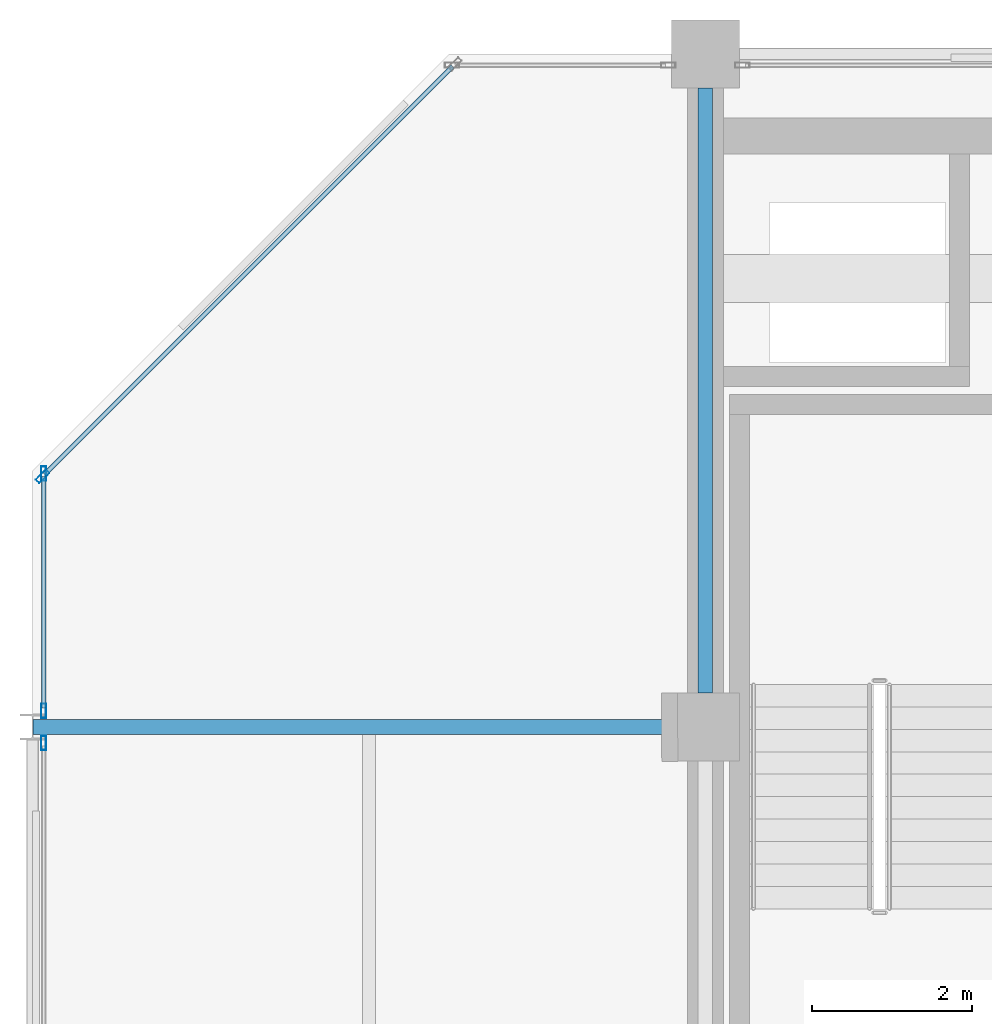
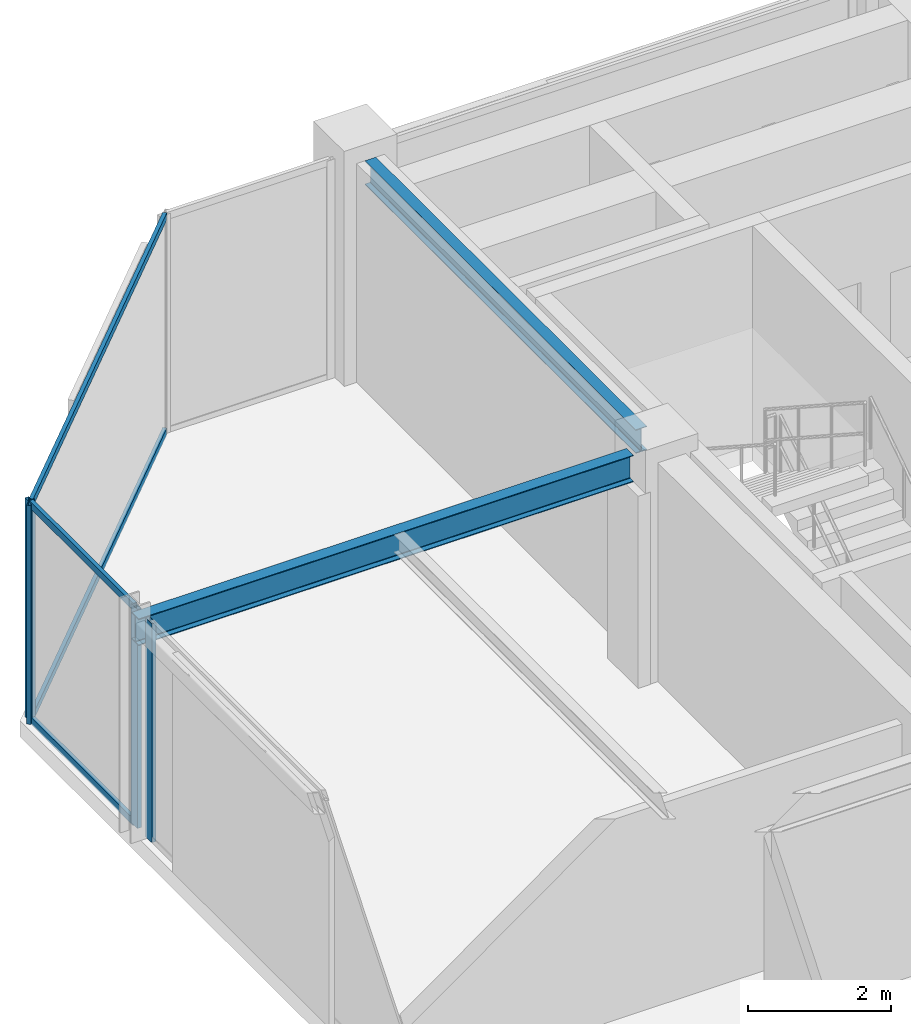
# One storey, part 16 of 24: 8 members, 2 beams, 3 elements without a shape of their own.
"""IFC4 building model written with IfcOpenShell, lengths in metres."""

from ifc_helpers import new_model, si_unit, direction, frame, origin, origin_2d, place, context, subcontext, project, spatial, hollow_rectangle, i_section, extrude, material, layer, layer_set, material_profile, profile_set, type_object, element, aggregate, save


model = new_model("IFC4")

# Units and contexts
model_context = context("Model", 3, precision=1e-05, world=origin(), true_north=direction((0.0, 1.0)))
body_context = subcontext(model_context, "Body", "Model", "MODEL_VIEW")
ifc_project = project(units=[si_unit("LENGTHUNIT", "METRE"), si_unit("AREAUNIT", "SQUARE_METRE"), si_unit("VOLUMEUNIT", "CUBIC_METRE"), si_unit("PLANEANGLEUNIT", "RADIAN"), si_unit("MASSUNIT", "GRAM", prefix="KILO")], contexts=[model_context])

# Site, building, storey
site_placement = place(None, origin())
site = spatial("IfcSite", under=ifc_project, at=site_placement, CompositionType="ELEMENT")
building_placement = place(site_placement, origin())
building = spatial("IfcBuilding", under=site, at=building_placement, Name="Nerrivon Quay Data Exchange", CompositionType="ELEMENT")
storey_placement = place(building_placement, frame((0.0, 0.0, 294.199951171875)))
storey = spatial("IfcBuildingStorey", under=building, at=storey_placement, Name="L70", CompositionType="ELEMENT", Elevation=294.199951171875)

# Beams
ifc_material_1 = material(Name="Steel Grade 350", Category="steel")
ifc_material_profile_1 = material_profile(ifc_material_1, i_section(OverallWidth=0.18994140625, OverallDepth=0.4541015625, WebThickness=0.008544921875, FlangeThickness=0.0126953125, FilletRadius=0.011474609375, at=origin_2d()), Name="460UB67.1")
ifc_profile_set_1 = profile_set([ifc_material_profile_1], Name="Steel Grade 350")
beam_type_1 = type_object("IfcBeamType", Name="BM-G6-460UB67", PredefinedType="BEAM", material=ifc_profile_set_1)
beam_1_placement = place(storey_placement, frame((0.0078125, 33.60009765625, 3.498046875), z_axis=(1.0, 0.0, 0.0), x_axis=(0.0, 1.0, 0.0)))
element("IfcBeam", 1, at=beam_1_placement, inside=storey, type_object=beam_type_1, Name="L70 EW Girder Y=33.6 (0.0..8.4)", PredefinedType="BEAM", context=body_context, shape_type="SweptSolid", body=[
    extrude(i_section(OverallWidth=0.18994140625, OverallDepth=0.4541015625, WebThickness=0.008544921875, FlangeThickness=0.0126953125, FilletRadius=0.011474609375, at=origin_2d()), origin(), (0.0, 0.0, 1.0), 7.96728515625),
])
ifc_material_profile_2 = material_profile(ifc_material_1, i_section(OverallWidth=0.177978515625, OverallDepth=0.406005859375, WebThickness=0.0078125, FlangeThickness=0.0126953125, FilletRadius=0.011474609375, at=origin_2d()), Name="410UB59.7")
ifc_profile_set_2 = profile_set([ifc_material_profile_2], Name="Steel Grade 350")
beam_type_2 = type_object("IfcBeamType", Name="BM-J1-410UB60", PredefinedType="JOIST", material=ifc_profile_set_2)
beam_2_placement = place(storey_placement, frame((8.39990234375, 34.02490234375, 3.52197265625), z_axis=(0.0, 1.0, 0.0), x_axis=(-1.0, 0.0, 0.0)))
element("IfcBeam", 2, at=beam_2_placement, inside=storey, type_object=beam_type_2, Name="L70 NS Girder X=8.4 (33.6..42.0)", PredefinedType="JOIST", context=body_context, shape_type="SweptSolid", body=[
    extrude(i_section(OverallWidth=0.177978515625, OverallDepth=0.406005859375, WebThickness=0.0078125, FlangeThickness=0.0126953125, FilletRadius=0.011474609375, at=origin_2d()), origin(), (0.0, 0.0, 1.0), 7.550048828125),
])

# Curtain wall, member
ifc_material_2 = material(Name="Anodised aluminium 6063-T6", Category="aluminium")
ifc_layer = layer(ifc_material_2, 0.195068359375)
ifc_layer_set = layer_set([ifc_layer], Name="Anodised aluminium 6063-T6")
curtain_wall_type = type_object("IfcCurtainWallType", Name="CW-SYS-06", PredefinedType="NOTDEFINED", material=ifc_layer_set)
curtain_wall_1_placement = place(storey_placement, origin())
curtain_wall_1 = element("IfcCurtainWall", 3, at=curtain_wall_1_placement, inside=storey, type_object=curtain_wall_type, Name="L70 Unitised Curtain Wall 11", PredefinedType="NOTDEFINED")
ifc_material_profile_3 = material_profile(ifc_material_2, hollow_rectangle(XDim=0.06494140625, YDim=0.179931640625, WallThickness=0.00341796875, at=origin_2d()), Name="ALU-MULL-180x65")
ifc_profile_set_3 = profile_set([ifc_material_profile_3], Name="Anodised aluminium 6063-T6")
member_type_1 = type_object("IfcMemberType", Name="CWM-180x65", PredefinedType="MULLION", material=ifc_profile_set_3)
member_1_placement = place(storey_placement, frame((0.139892578125, 33.39892578125, 0.0), z_axis=(0.0, 0.0, 1.0), x_axis=(-1.0, 0.0, 0.0)))
member_1 = element("IfcMember", 4, at=member_1_placement, type_object=member_type_1, Name="CW06 mullion 2", PredefinedType="MULLION", context=body_context, shape_type="SweptSolid", body=[
    extrude(hollow_rectangle(XDim=0.06494140625, YDim=0.179931640625, WallThickness=0.00341796875, at=origin_2d()), origin(), (0.0, 0.0, 1.0), 3.72509765625),
])
aggregate(curtain_wall_1, [member_1])

# Curtain wall, members
curtain_wall_2_placement = place(storey_placement, origin())
curtain_wall_2 = element("IfcCurtainWall", 5, at=curtain_wall_2_placement, inside=storey, type_object=curtain_wall_type, Name="L70 Unitised Curtain Wall 12", PredefinedType="NOTDEFINED")
member_2_placement = place(storey_placement, frame((0.139892578125, 33.801025390625, 0.0), z_axis=(0.0, 0.0, 1.0), x_axis=(-1.0, 0.0, 0.0)))
member_2 = element("IfcMember", 6, at=member_2_placement, type_object=member_type_1, Name="CW06 mullion 1", PredefinedType="MULLION", context=body_context, shape_type="SweptSolid", body=[
    extrude(hollow_rectangle(XDim=0.06494140625, YDim=0.179931640625, WallThickness=0.00341796875, at=origin_2d()), origin(), (0.0, 0.0, 1.0), 3.72509765625),
])
member_3_placement = place(storey_placement, frame((0.139892578125, 36.762451171875, 0.0), z_axis=(0.0, 0.0, 1.0), x_axis=(-1.0, 0.0, 0.0)))
member_3 = element("IfcMember", 7, at=member_3_placement, type_object=member_type_1, Name="CW06 mullion 2", PredefinedType="MULLION", context=body_context, shape_type="SweptSolid", body=[
    extrude(hollow_rectangle(XDim=0.06494140625, YDim=0.179931640625, WallThickness=0.00341796875, at=origin_2d()), origin(), (0.0, 0.0, 1.0), 3.72509765625),
])

# Curtain wall, member
curtain_wall_3_placement = place(storey_placement, origin())
curtain_wall_3 = element("IfcCurtainWall", 8, at=curtain_wall_3_placement, inside=storey, type_object=curtain_wall_type, Name="L70 Unitised Curtain Wall 13", PredefinedType="NOTDEFINED")
member_4_placement = place(storey_placement, frame((0.12548828125, 36.7275390625, 0.0), z_axis=(0.0, 0.0, 1.0), x_axis=(-0.707106781187, 0.707106781187, 0.0)))
member_4 = element("IfcMember", 9, at=member_4_placement, type_object=member_type_1, Name="CW06 mullion 1", PredefinedType="MULLION", context=body_context, shape_type="SweptSolid", body=[
    extrude(hollow_rectangle(XDim=0.06494140625, YDim=0.179931640625, WallThickness=0.00341796875, at=origin_2d()), origin(), (0.0, 0.0, 1.0), 3.72509765625),
])

# Member
ifc_material_profile_4 = material_profile(ifc_material_2, hollow_rectangle(XDim=0.06005859375, YDim=0.1201171875, WallThickness=0.003173828125, at=origin_2d()), Name="ALU-TRAN-120x60")
ifc_profile_set_4 = profile_set([ifc_material_profile_4], Name="Anodised aluminium 6063-T6")
member_type_2 = type_object("IfcMemberType", Name="CWT-120x60", PredefinedType="USERDEFINED", material=ifc_profile_set_4)
member_5_placement = place(storey_placement, frame((0.139892578125, 33.83837890625, 0.032470703125), z_axis=(0.0, 1.0, 0.0), x_axis=(-1.0, 0.0, 0.0)))
member_5 = element("IfcMember", 10, at=member_5_placement, type_object=member_type_2, Name="CW06 transom 1.1", ObjectType="TRANSOM", PredefinedType="USERDEFINED", context=body_context, shape_type="SweptSolid", body=[
    extrude(hollow_rectangle(XDim=0.06005859375, YDim=0.1201171875, WallThickness=0.003173828125, at=origin_2d()), origin(), (0.0, 0.0, 1.0), 2.88671875),
])

member_6_placement = place(storey_placement, frame((0.139892578125, 33.83837890625, 3.692626953125), z_axis=(0.0, 1.0, 0.0), x_axis=(-1.0, 0.0, 0.0)))
member_6 = element("IfcMember", 11, at=member_6_placement, type_object=member_type_2, Name="CW06 transom 1.2", ObjectType="TRANSOM", PredefinedType="USERDEFINED", context=body_context, shape_type="SweptSolid", body=[
    extrude(hollow_rectangle(XDim=0.06005859375, YDim=0.1201171875, WallThickness=0.003173828125, at=origin_2d()), origin(), (0.0, 0.0, 1.0), 2.88671875),
])

aggregate(curtain_wall_2, [member_2, member_3, member_5, member_6])

member_7_placement = place(storey_placement, frame((0.152099609375, 36.754150390625, 0.032470703125), z_axis=(0.707106781187, 0.707106781187, 0.0), x_axis=(-0.707106781187, 0.707106781187, 0.0)))
member_7 = element("IfcMember", 12, at=member_7_placement, type_object=member_type_2, Name="CW06 transom 1.1", ObjectType="TRANSOM", PredefinedType="USERDEFINED", context=body_context, shape_type="SweptSolid", body=[
    extrude(hollow_rectangle(XDim=0.06005859375, YDim=0.1201171875, WallThickness=0.003173828125, at=origin_2d()), origin(), (0.0, 0.0, 1.0), 7.20361328125),
])

member_8_placement = place(storey_placement, frame((0.152099609375, 36.754150390625, 3.692626953125), z_axis=(0.707106781187, 0.707106781187, 0.0), x_axis=(-0.707106781187, 0.707106781187, 0.0)))
member_8 = element("IfcMember", 13, at=member_8_placement, type_object=member_type_2, Name="CW06 transom 1.2", ObjectType="TRANSOM", PredefinedType="USERDEFINED", context=body_context, shape_type="SweptSolid", body=[
    extrude(hollow_rectangle(XDim=0.06005859375, YDim=0.1201171875, WallThickness=0.003173828125, at=origin_2d()), origin(), (0.0, 0.0, 1.0), 7.20361328125),
])

aggregate(curtain_wall_3, [member_4, member_7, member_8])

save(model, "model.ifc")
